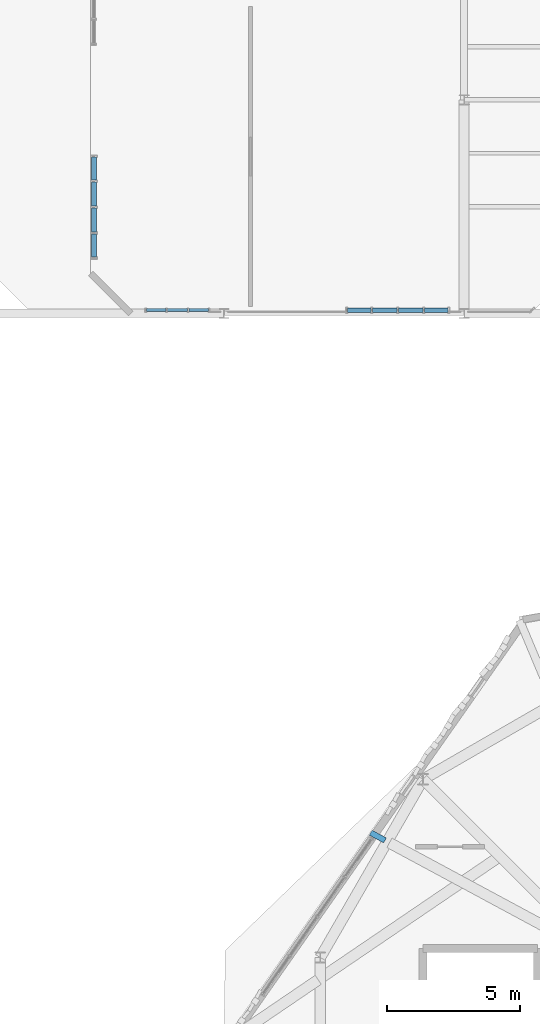
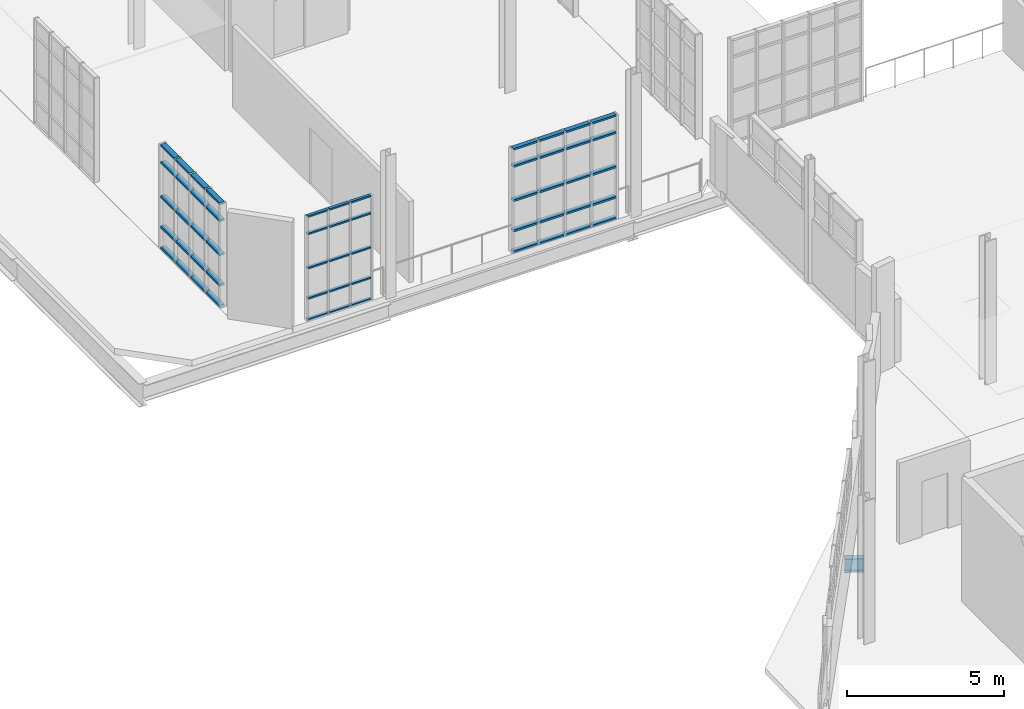
# One storey, part 23 of 36: 55 members, 1 beam, 3 elements without a shape of their own.
"""IFC4 building model written with IfcOpenShell, lengths in metres."""

from ifc_helpers import new_model, si_unit, direction, frame, origin, origin_2d, place, context, subcontext, project, spatial, hollow_rectangle, i_section, extrude, material, layer, layer_set, material_profile, profile_set, type_object, element, aggregate, save


model = new_model("IFC4")

# Units and contexts
model_context = context("Model", 3, precision=1e-05, world=origin(), true_north=direction((0.0, 1.0)))
body_context = subcontext(model_context, "Body", "Model", "MODEL_VIEW")
ifc_project = project(units=[si_unit("LENGTHUNIT", "METRE"), si_unit("AREAUNIT", "SQUARE_METRE"), si_unit("VOLUMEUNIT", "CUBIC_METRE"), si_unit("PLANEANGLEUNIT", "RADIAN"), si_unit("MASSUNIT", "GRAM", prefix="KILO"), si_unit("THERMODYNAMICTEMPERATUREUNIT", "KELVIN"), si_unit("POWERUNIT", "WATT")], contexts=[model_context])

# Site, building, storey
site_placement = place(None, origin())
site = spatial("IfcSite", under=ifc_project, at=site_placement, CompositionType="ELEMENT")
building_placement = place(site_placement, origin())
building = spatial("IfcBuilding", under=site, at=building_placement, Name="Zelmaris Science Centre", CompositionType="ELEMENT")
storey_placement = place(building_placement, frame((0.0, 0.0, 25.199951171875)))
storey = spatial("IfcBuildingStorey", under=building, at=storey_placement, Name="L05", CompositionType="ELEMENT", Elevation=25.199951171875)

# Curtain wall, members
ifc_material_1 = material(Name="Anodised architectural aluminium 6063-T6", Category="aluminium")
ifc_layer_1 = layer(ifc_material_1, 0.219970703125, Name="Anodised architectural aluminium 6063-T6")
ifc_layer_set_1 = layer_set([ifc_layer_1], Name="Anodised architectural aluminium 6063-T6")
curtain_wall_type_1 = type_object("IfcCurtainWallType", Name="Curtain Wall CW-04", PredefinedType="USERDEFINED", material=ifc_layer_set_1)
curtain_wall_1_placement = place(storey_placement, origin())
curtain_wall_1 = element("IfcCurtainWall", 1, at=curtain_wall_1_placement, inside=storey, type_object=curtain_wall_type_1, Name="L05 Unitised curtain wall 376", ObjectType="GLAZED CURTAIN WALL", PredefinedType="USERDEFINED")
ifc_material_profile_1 = material_profile(ifc_material_1, hollow_rectangle(XDim=0.06005859375, YDim=0.110107421875, WallThickness=0.0029296875, at=origin_2d()), Name="ALU-TRN-60X110")
ifc_profile_set_1 = profile_set([ifc_material_profile_1], Name="Anodised architectural aluminium 6063-T6")
member_type_1 = type_object("IfcMemberType", Name="ALU-TRN-60X110", PredefinedType="USERDEFINED", material=ifc_profile_set_1)
member_1_placement = place(storey_placement, frame((62.407958984375, 64.1201171875, 0.010986328125), z_axis=(-1.0, 0.0, 0.0), x_axis=(0.0, 0.0, 1.0)))
member_1 = element("IfcMember", 2, at=member_1_placement, type_object=member_type_1, Name="CW-04 transom 1.1", ObjectType="TRANSOM", PredefinedType="USERDEFINED", context=body_context, shape_type="SweptSolid", body=[
    extrude(hollow_rectangle(XDim=0.06005859375, YDim=0.110107421875, WallThickness=0.0029296875, at=origin_2d()), origin(), (0.0, 0.0, 1.0), 0.728515625),
])
member_2_placement = place(storey_placement, frame((62.407958984375, 64.1201171875, 0.8349609375), z_axis=(-1.0, 0.0, 0.0), x_axis=(0.0, 0.0, 1.0)))
member_2 = element("IfcMember", 3, at=member_2_placement, type_object=member_type_1, Name="CW-04 transom 1.2", ObjectType="TRANSOM", PredefinedType="USERDEFINED", context=body_context, shape_type="SweptSolid", body=[
    extrude(hollow_rectangle(XDim=0.06005859375, YDim=0.110107421875, WallThickness=0.0029296875, at=origin_2d()), origin(), (0.0, 0.0, 1.0), 0.728515625),
])
member_3_placement = place(storey_placement, frame((62.407958984375, 64.1201171875, 2.012451171875), z_axis=(-1.0, 0.0, 0.0), x_axis=(0.0, 0.0, 1.0)))
member_3 = element("IfcMember", 4, at=member_3_placement, type_object=member_type_1, Name="CW-04 transom 1.3", ObjectType="TRANSOM", PredefinedType="USERDEFINED", context=body_context, shape_type="SweptSolid", body=[
    extrude(hollow_rectangle(XDim=0.06005859375, YDim=0.110107421875, WallThickness=0.0029296875, at=origin_2d()), origin(), (0.0, 0.0, 1.0), 0.728515625),
])
member_4_placement = place(storey_placement, frame((62.407958984375, 64.1201171875, 3.340087890625), z_axis=(-1.0, 0.0, 0.0), x_axis=(0.0, 0.0, 1.0)))
member_4 = element("IfcMember", 5, at=member_4_placement, type_object=member_type_1, Name="CW-04 transom 1.4", ObjectType="TRANSOM", PredefinedType="USERDEFINED", context=body_context, shape_type="SweptSolid", body=[
    extrude(hollow_rectangle(XDim=0.06005859375, YDim=0.110107421875, WallThickness=0.0029296875, at=origin_2d()), origin(), (0.0, 0.0, 1.0), 0.728515625),
])
member_5_placement = place(storey_placement, frame((62.407958984375, 64.1201171875, 4.01416015625), z_axis=(-1.0, 0.0, 0.0), x_axis=(0.0, 0.0, 1.0)))
member_5 = element("IfcMember", 6, at=member_5_placement, type_object=member_type_1, Name="CW-04 transom 1.5", ObjectType="TRANSOM", PredefinedType="USERDEFINED", context=body_context, shape_type="SweptSolid", body=[
    extrude(hollow_rectangle(XDim=0.06005859375, YDim=0.110107421875, WallThickness=0.0029296875, at=origin_2d()), origin(), (0.0, 0.0, 1.0), 0.728515625),
])
member_6_placement = place(storey_placement, frame((61.62744140625, 64.1201171875, 0.010986328125), z_axis=(-1.0, 0.0, 0.0), x_axis=(0.0, 0.0, 1.0)))
member_6 = element("IfcMember", 7, at=member_6_placement, type_object=member_type_1, Name="CW-04 transom 2.1", ObjectType="TRANSOM", PredefinedType="USERDEFINED", context=body_context, shape_type="SweptSolid", body=[
    extrude(hollow_rectangle(XDim=0.06005859375, YDim=0.110107421875, WallThickness=0.0029296875, at=origin_2d()), origin(), (0.0, 0.0, 1.0), 0.7548828125),
])
member_7_placement = place(storey_placement, frame((61.62744140625, 64.1201171875, 0.8349609375), z_axis=(-1.0, 0.0, 0.0), x_axis=(0.0, 0.0, 1.0)))
member_7 = element("IfcMember", 8, at=member_7_placement, type_object=member_type_1, Name="CW-04 transom 2.2", ObjectType="TRANSOM", PredefinedType="USERDEFINED", context=body_context, shape_type="SweptSolid", body=[
    extrude(hollow_rectangle(XDim=0.06005859375, YDim=0.110107421875, WallThickness=0.0029296875, at=origin_2d()), origin(), (0.0, 0.0, 1.0), 0.7548828125),
])
member_8_placement = place(storey_placement, frame((61.62744140625, 64.1201171875, 2.012451171875), z_axis=(-1.0, 0.0, 0.0), x_axis=(0.0, 0.0, 1.0)))
member_8 = element("IfcMember", 9, at=member_8_placement, type_object=member_type_1, Name="CW-04 transom 2.3", ObjectType="TRANSOM", PredefinedType="USERDEFINED", context=body_context, shape_type="SweptSolid", body=[
    extrude(hollow_rectangle(XDim=0.06005859375, YDim=0.110107421875, WallThickness=0.0029296875, at=origin_2d()), origin(), (0.0, 0.0, 1.0), 0.7548828125),
])
member_9_placement = place(storey_placement, frame((61.62744140625, 64.1201171875, 3.340087890625), z_axis=(-1.0, 0.0, 0.0), x_axis=(0.0, 0.0, 1.0)))
member_9 = element("IfcMember", 10, at=member_9_placement, type_object=member_type_1, Name="CW-04 transom 2.4", ObjectType="TRANSOM", PredefinedType="USERDEFINED", context=body_context, shape_type="SweptSolid", body=[
    extrude(hollow_rectangle(XDim=0.06005859375, YDim=0.110107421875, WallThickness=0.0029296875, at=origin_2d()), origin(), (0.0, 0.0, 1.0), 0.7548828125),
])
member_10_placement = place(storey_placement, frame((61.62744140625, 64.1201171875, 4.01416015625), z_axis=(-1.0, 0.0, 0.0), x_axis=(0.0, 0.0, 1.0)))
member_10 = element("IfcMember", 11, at=member_10_placement, type_object=member_type_1, Name="CW-04 transom 2.5", ObjectType="TRANSOM", PredefinedType="USERDEFINED", context=body_context, shape_type="SweptSolid", body=[
    extrude(hollow_rectangle(XDim=0.06005859375, YDim=0.110107421875, WallThickness=0.0029296875, at=origin_2d()), origin(), (0.0, 0.0, 1.0), 0.7548828125),
])
member_11_placement = place(storey_placement, frame((60.820556640625, 64.1201171875, 0.010986328125), z_axis=(-1.0, 0.0, 0.0), x_axis=(0.0, 0.0, 1.0)))
member_11 = element("IfcMember", 12, at=member_11_placement, type_object=member_type_1, Name="CW-04 transom 3.1", ObjectType="TRANSOM", PredefinedType="USERDEFINED", context=body_context, shape_type="SweptSolid", body=[
    extrude(hollow_rectangle(XDim=0.06005859375, YDim=0.110107421875, WallThickness=0.0029296875, at=origin_2d()), origin(), (0.0, 0.0, 1.0), 0.728515625),
])
member_12_placement = place(storey_placement, frame((60.820556640625, 64.1201171875, 0.8349609375), z_axis=(-1.0, 0.0, 0.0), x_axis=(0.0, 0.0, 1.0)))
member_12 = element("IfcMember", 13, at=member_12_placement, type_object=member_type_1, Name="CW-04 transom 3.2", ObjectType="TRANSOM", PredefinedType="USERDEFINED", context=body_context, shape_type="SweptSolid", body=[
    extrude(hollow_rectangle(XDim=0.06005859375, YDim=0.110107421875, WallThickness=0.0029296875, at=origin_2d()), origin(), (0.0, 0.0, 1.0), 0.728515625),
])
member_13_placement = place(storey_placement, frame((60.820556640625, 64.1201171875, 2.012451171875), z_axis=(-1.0, 0.0, 0.0), x_axis=(0.0, 0.0, 1.0)))
member_13 = element("IfcMember", 14, at=member_13_placement, type_object=member_type_1, Name="CW-04 transom 3.3", ObjectType="TRANSOM", PredefinedType="USERDEFINED", context=body_context, shape_type="SweptSolid", body=[
    extrude(hollow_rectangle(XDim=0.06005859375, YDim=0.110107421875, WallThickness=0.0029296875, at=origin_2d()), origin(), (0.0, 0.0, 1.0), 0.728515625),
])
member_14_placement = place(storey_placement, frame((60.820556640625, 64.1201171875, 3.340087890625), z_axis=(-1.0, 0.0, 0.0), x_axis=(0.0, 0.0, 1.0)))
member_14 = element("IfcMember", 15, at=member_14_placement, type_object=member_type_1, Name="CW-04 transom 3.4", ObjectType="TRANSOM", PredefinedType="USERDEFINED", context=body_context, shape_type="SweptSolid", body=[
    extrude(hollow_rectangle(XDim=0.06005859375, YDim=0.110107421875, WallThickness=0.0029296875, at=origin_2d()), origin(), (0.0, 0.0, 1.0), 0.728515625),
])
member_15_placement = place(storey_placement, frame((60.820556640625, 64.1201171875, 4.01416015625), z_axis=(-1.0, 0.0, 0.0), x_axis=(0.0, 0.0, 1.0)))
member_15 = element("IfcMember", 16, at=member_15_placement, type_object=member_type_1, Name="CW-04 transom 3.5", ObjectType="TRANSOM", PredefinedType="USERDEFINED", context=body_context, shape_type="SweptSolid", body=[
    extrude(hollow_rectangle(XDim=0.06005859375, YDim=0.110107421875, WallThickness=0.0029296875, at=origin_2d()), origin(), (0.0, 0.0, 1.0), 0.728515625),
])
aggregate(curtain_wall_1, [member_1, member_2, member_3, member_4, member_5, member_6, member_7, member_8, member_9, member_10, member_11, member_12, member_13, member_14, member_15])

ifc_layer_2 = layer(ifc_material_1, 0.199951171875, Name="Anodised architectural aluminium 6063-T6")
ifc_layer_set_2 = layer_set([ifc_layer_2], Name="Anodised architectural aluminium 6063-T6")
curtain_wall_type_2 = type_object("IfcCurtainWallType", Name="Curtain Wall CW-02", PredefinedType="USERDEFINED", material=ifc_layer_set_2)
curtain_wall_2_placement = place(storey_placement, origin())
curtain_wall_2 = element("IfcCurtainWall", 17, at=curtain_wall_2_placement, inside=storey, type_object=curtain_wall_type_2, Name="L05 Unitised curtain wall 374", ObjectType="GLAZED CURTAIN WALL", PredefinedType="USERDEFINED")
ifc_material_profile_2 = material_profile(ifc_material_1, hollow_rectangle(XDim=0.074951171875, YDim=0.159912109375, WallThickness=0.00390625, at=origin_2d()), Name="ALU-TRN-75X160")
ifc_profile_set_2 = profile_set([ifc_material_profile_2], Name="Anodised architectural aluminium 6063-T6")
member_type_2 = type_object("IfcMemberType", Name="ALU-TRN-75X160", PredefinedType="USERDEFINED", material=ifc_profile_set_2)
member_16_placement = place(storey_placement, frame((71.39306640625, 64.1201171875, 0.0185546875), z_axis=(-1.0, 0.0, 0.0), x_axis=(0.0, 0.0, 1.0)))
member_16 = element("IfcMember", 18, at=member_16_placement, type_object=member_type_2, Name="CW-02 transom 1.1", ObjectType="TRANSOM", PredefinedType="USERDEFINED", context=body_context, shape_type="SweptSolid", body=[
    extrude(hollow_rectangle(XDim=0.074951171875, YDim=0.159912109375, WallThickness=0.00390625, at=origin_2d()), origin(), (0.0, 0.0, 1.0), 0.87451171875),
])
member_17_placement = place(storey_placement, frame((71.39306640625, 64.1201171875, 0.8349609375), z_axis=(-1.0, 0.0, 0.0), x_axis=(0.0, 0.0, 1.0)))
member_17 = element("IfcMember", 19, at=member_17_placement, type_object=member_type_2, Name="CW-02 transom 1.2", ObjectType="TRANSOM", PredefinedType="USERDEFINED", context=body_context, shape_type="SweptSolid", body=[
    extrude(hollow_rectangle(XDim=0.074951171875, YDim=0.159912109375, WallThickness=0.00390625, at=origin_2d()), origin(), (0.0, 0.0, 1.0), 0.87451171875),
])
member_18_placement = place(storey_placement, frame((71.39306640625, 64.1201171875, 2.012451171875), z_axis=(-1.0, 0.0, 0.0), x_axis=(0.0, 0.0, 1.0)))
member_18 = element("IfcMember", 20, at=member_18_placement, type_object=member_type_2, Name="CW-02 transom 1.3", ObjectType="TRANSOM", PredefinedType="USERDEFINED", context=body_context, shape_type="SweptSolid", body=[
    extrude(hollow_rectangle(XDim=0.074951171875, YDim=0.159912109375, WallThickness=0.00390625, at=origin_2d()), origin(), (0.0, 0.0, 1.0), 0.87451171875),
])
member_19_placement = place(storey_placement, frame((71.39306640625, 64.1201171875, 3.340087890625), z_axis=(-1.0, 0.0, 0.0), x_axis=(0.0, 0.0, 1.0)))
member_19 = element("IfcMember", 21, at=member_19_placement, type_object=member_type_2, Name="CW-02 transom 1.4", ObjectType="TRANSOM", PredefinedType="USERDEFINED", context=body_context, shape_type="SweptSolid", body=[
    extrude(hollow_rectangle(XDim=0.074951171875, YDim=0.159912109375, WallThickness=0.00390625, at=origin_2d()), origin(), (0.0, 0.0, 1.0), 0.87451171875),
])
member_20_placement = place(storey_placement, frame((71.39306640625, 64.1201171875, 4.006591796875), z_axis=(-1.0, 0.0, 0.0), x_axis=(0.0, 0.0, 1.0)))
member_20 = element("IfcMember", 22, at=member_20_placement, type_object=member_type_2, Name="CW-02 transom 1.5", ObjectType="TRANSOM", PredefinedType="USERDEFINED", context=body_context, shape_type="SweptSolid", body=[
    extrude(hollow_rectangle(XDim=0.074951171875, YDim=0.159912109375, WallThickness=0.00390625, at=origin_2d()), origin(), (0.0, 0.0, 1.0), 0.87451171875),
])
member_21_placement = place(storey_placement, frame((70.451416015625, 64.1201171875, 0.0185546875), z_axis=(-1.0, 0.0, 0.0), x_axis=(0.0, 0.0, 1.0)))
member_21 = element("IfcMember", 23, at=member_21_placement, type_object=member_type_2, Name="CW-02 transom 2.1", ObjectType="TRANSOM", PredefinedType="USERDEFINED", context=body_context, shape_type="SweptSolid", body=[
    extrude(hollow_rectangle(XDim=0.074951171875, YDim=0.159912109375, WallThickness=0.00390625, at=origin_2d()), origin(), (0.0, 0.0, 1.0), 0.907958984375),
])
member_22_placement = place(storey_placement, frame((70.451416015625, 64.1201171875, 0.8349609375), z_axis=(-1.0, 0.0, 0.0), x_axis=(0.0, 0.0, 1.0)))
member_22 = element("IfcMember", 24, at=member_22_placement, type_object=member_type_2, Name="CW-02 transom 2.2", ObjectType="TRANSOM", PredefinedType="USERDEFINED", context=body_context, shape_type="SweptSolid", body=[
    extrude(hollow_rectangle(XDim=0.074951171875, YDim=0.159912109375, WallThickness=0.00390625, at=origin_2d()), origin(), (0.0, 0.0, 1.0), 0.907958984375),
])
member_23_placement = place(storey_placement, frame((70.451416015625, 64.1201171875, 2.012451171875), z_axis=(-1.0, 0.0, 0.0), x_axis=(0.0, 0.0, 1.0)))
member_23 = element("IfcMember", 25, at=member_23_placement, type_object=member_type_2, Name="CW-02 transom 2.3", ObjectType="TRANSOM", PredefinedType="USERDEFINED", context=body_context, shape_type="SweptSolid", body=[
    extrude(hollow_rectangle(XDim=0.074951171875, YDim=0.159912109375, WallThickness=0.00390625, at=origin_2d()), origin(), (0.0, 0.0, 1.0), 0.907958984375),
])
member_24_placement = place(storey_placement, frame((70.451416015625, 64.1201171875, 3.340087890625), z_axis=(-1.0, 0.0, 0.0), x_axis=(0.0, 0.0, 1.0)))
member_24 = element("IfcMember", 26, at=member_24_placement, type_object=member_type_2, Name="CW-02 transom 2.4", ObjectType="TRANSOM", PredefinedType="USERDEFINED", context=body_context, shape_type="SweptSolid", body=[
    extrude(hollow_rectangle(XDim=0.074951171875, YDim=0.159912109375, WallThickness=0.00390625, at=origin_2d()), origin(), (0.0, 0.0, 1.0), 0.907958984375),
])
member_25_placement = place(storey_placement, frame((70.451416015625, 64.1201171875, 4.006591796875), z_axis=(-1.0, 0.0, 0.0), x_axis=(0.0, 0.0, 1.0)))
member_25 = element("IfcMember", 27, at=member_25_placement, type_object=member_type_2, Name="CW-02 transom 2.5", ObjectType="TRANSOM", PredefinedType="USERDEFINED", context=body_context, shape_type="SweptSolid", body=[
    extrude(hollow_rectangle(XDim=0.074951171875, YDim=0.159912109375, WallThickness=0.00390625, at=origin_2d()), origin(), (0.0, 0.0, 1.0), 0.907958984375),
])
member_26_placement = place(storey_placement, frame((69.4765625, 64.1201171875, 0.0185546875), z_axis=(-1.0, 0.0, 0.0), x_axis=(0.0, 0.0, 1.0)))
member_26 = element("IfcMember", 28, at=member_26_placement, type_object=member_type_2, Name="CW-02 transom 3.1", ObjectType="TRANSOM", PredefinedType="USERDEFINED", context=body_context, shape_type="SweptSolid", body=[
    extrude(hollow_rectangle(XDim=0.074951171875, YDim=0.159912109375, WallThickness=0.00390625, at=origin_2d()), origin(), (0.0, 0.0, 1.0), 0.907958984375),
])
member_27_placement = place(storey_placement, frame((69.4765625, 64.1201171875, 0.8349609375), z_axis=(-1.0, 0.0, 0.0), x_axis=(0.0, 0.0, 1.0)))
member_27 = element("IfcMember", 29, at=member_27_placement, type_object=member_type_2, Name="CW-02 transom 3.2", ObjectType="TRANSOM", PredefinedType="USERDEFINED", context=body_context, shape_type="SweptSolid", body=[
    extrude(hollow_rectangle(XDim=0.074951171875, YDim=0.159912109375, WallThickness=0.00390625, at=origin_2d()), origin(), (0.0, 0.0, 1.0), 0.907958984375),
])
member_28_placement = place(storey_placement, frame((69.4765625, 64.1201171875, 2.012451171875), z_axis=(-1.0, 0.0, 0.0), x_axis=(0.0, 0.0, 1.0)))
member_28 = element("IfcMember", 30, at=member_28_placement, type_object=member_type_2, Name="CW-02 transom 3.3", ObjectType="TRANSOM", PredefinedType="USERDEFINED", context=body_context, shape_type="SweptSolid", body=[
    extrude(hollow_rectangle(XDim=0.074951171875, YDim=0.159912109375, WallThickness=0.00390625, at=origin_2d()), origin(), (0.0, 0.0, 1.0), 0.907958984375),
])
member_29_placement = place(storey_placement, frame((69.4765625, 64.1201171875, 3.340087890625), z_axis=(-1.0, 0.0, 0.0), x_axis=(0.0, 0.0, 1.0)))
member_29 = element("IfcMember", 31, at=member_29_placement, type_object=member_type_2, Name="CW-02 transom 3.4", ObjectType="TRANSOM", PredefinedType="USERDEFINED", context=body_context, shape_type="SweptSolid", body=[
    extrude(hollow_rectangle(XDim=0.074951171875, YDim=0.159912109375, WallThickness=0.00390625, at=origin_2d()), origin(), (0.0, 0.0, 1.0), 0.907958984375),
])
member_30_placement = place(storey_placement, frame((69.4765625, 64.1201171875, 4.006591796875), z_axis=(-1.0, 0.0, 0.0), x_axis=(0.0, 0.0, 1.0)))
member_30 = element("IfcMember", 32, at=member_30_placement, type_object=member_type_2, Name="CW-02 transom 3.5", ObjectType="TRANSOM", PredefinedType="USERDEFINED", context=body_context, shape_type="SweptSolid", body=[
    extrude(hollow_rectangle(XDim=0.074951171875, YDim=0.159912109375, WallThickness=0.00390625, at=origin_2d()), origin(), (0.0, 0.0, 1.0), 0.907958984375),
])
member_31_placement = place(storey_placement, frame((68.50146484375, 64.1201171875, 0.0185546875), z_axis=(-1.0, 0.0, 0.0), x_axis=(0.0, 0.0, 1.0)))
member_31 = element("IfcMember", 33, at=member_31_placement, type_object=member_type_2, Name="CW-02 transom 4.1", ObjectType="TRANSOM", PredefinedType="USERDEFINED", context=body_context, shape_type="SweptSolid", body=[
    extrude(hollow_rectangle(XDim=0.074951171875, YDim=0.159912109375, WallThickness=0.00390625, at=origin_2d()), origin(), (0.0, 0.0, 1.0), 0.87451171875),
])
member_32_placement = place(storey_placement, frame((68.50146484375, 64.1201171875, 0.8349609375), z_axis=(-1.0, 0.0, 0.0), x_axis=(0.0, 0.0, 1.0)))
member_32 = element("IfcMember", 34, at=member_32_placement, type_object=member_type_2, Name="CW-02 transom 4.2", ObjectType="TRANSOM", PredefinedType="USERDEFINED", context=body_context, shape_type="SweptSolid", body=[
    extrude(hollow_rectangle(XDim=0.074951171875, YDim=0.159912109375, WallThickness=0.00390625, at=origin_2d()), origin(), (0.0, 0.0, 1.0), 0.87451171875),
])
member_33_placement = place(storey_placement, frame((68.50146484375, 64.1201171875, 2.012451171875), z_axis=(-1.0, 0.0, 0.0), x_axis=(0.0, 0.0, 1.0)))
member_33 = element("IfcMember", 35, at=member_33_placement, type_object=member_type_2, Name="CW-02 transom 4.3", ObjectType="TRANSOM", PredefinedType="USERDEFINED", context=body_context, shape_type="SweptSolid", body=[
    extrude(hollow_rectangle(XDim=0.074951171875, YDim=0.159912109375, WallThickness=0.00390625, at=origin_2d()), origin(), (0.0, 0.0, 1.0), 0.87451171875),
])
member_34_placement = place(storey_placement, frame((68.50146484375, 64.1201171875, 3.340087890625), z_axis=(-1.0, 0.0, 0.0), x_axis=(0.0, 0.0, 1.0)))
member_34 = element("IfcMember", 36, at=member_34_placement, type_object=member_type_2, Name="CW-02 transom 4.4", ObjectType="TRANSOM", PredefinedType="USERDEFINED", context=body_context, shape_type="SweptSolid", body=[
    extrude(hollow_rectangle(XDim=0.074951171875, YDim=0.159912109375, WallThickness=0.00390625, at=origin_2d()), origin(), (0.0, 0.0, 1.0), 0.87451171875),
])
member_35_placement = place(storey_placement, frame((68.50146484375, 64.1201171875, 4.006591796875), z_axis=(-1.0, 0.0, 0.0), x_axis=(0.0, 0.0, 1.0)))
member_35 = element("IfcMember", 37, at=member_35_placement, type_object=member_type_2, Name="CW-02 transom 4.5", ObjectType="TRANSOM", PredefinedType="USERDEFINED", context=body_context, shape_type="SweptSolid", body=[
    extrude(hollow_rectangle(XDim=0.074951171875, YDim=0.159912109375, WallThickness=0.00390625, at=origin_2d()), origin(), (0.0, 0.0, 1.0), 0.87451171875),
])
aggregate(curtain_wall_2, [member_16, member_17, member_18, member_19, member_20, member_21, member_22, member_23, member_24, member_25, member_26, member_27, member_28, member_29, member_30, member_31, member_32, member_33, member_34, member_35])

ifc_layer_3 = layer(ifc_material_1, 0.18994140625, Name="Anodised architectural aluminium 6063-T6")
ifc_layer_set_3 = layer_set([ifc_layer_3], Name="Anodised architectural aluminium 6063-T6")
curtain_wall_type_3 = type_object("IfcCurtainWallType", Name="Curtain Wall CW-01", PredefinedType="USERDEFINED", material=ifc_layer_set_3)
curtain_wall_3_placement = place(storey_placement, origin())
curtain_wall_3 = element("IfcCurtainWall", 38, at=curtain_wall_3_placement, inside=storey, type_object=curtain_wall_type_3, Name="L05 Unitised curtain wall 377", ObjectType="GLAZED CURTAIN WALL", PredefinedType="USERDEFINED")
ifc_material_profile_3 = material_profile(ifc_material_1, hollow_rectangle(XDim=0.080078125, YDim=0.18994140625, WallThickness=0.00439453125, at=origin_2d()), Name="ALU-TRN-80X190")
ifc_profile_set_3 = profile_set([ifc_material_profile_3], Name="Anodised architectural aluminium 6063-T6")
member_type_3 = type_object("IfcMemberType", Name="ALU-TRN-80X190", PredefinedType="USERDEFINED", material=ifc_profile_set_3)
member_36_placement = place(storey_placement, frame((58.1201171875, 66.112060546875, 0.02099609375), z_axis=(0.0, 1.0, 0.0), x_axis=(0.0, 0.0, 1.0)))
member_36 = element("IfcMember", 39, at=member_36_placement, type_object=member_type_3, Name="CW-01 transom 1.1", ObjectType="TRANSOM", PredefinedType="USERDEFINED", context=body_context, shape_type="SweptSolid", body=[
    extrude(hollow_rectangle(XDim=0.080078125, YDim=0.18994140625, WallThickness=0.00439453125, at=origin_2d()), origin(), (0.0, 0.0, 1.0), 0.86376953125),
])
member_37_placement = place(storey_placement, frame((58.1201171875, 66.112060546875, 0.8349609375), z_axis=(0.0, 1.0, 0.0), x_axis=(0.0, 0.0, 1.0)))
member_37 = element("IfcMember", 40, at=member_37_placement, type_object=member_type_3, Name="CW-01 transom 1.2", ObjectType="TRANSOM", PredefinedType="USERDEFINED", context=body_context, shape_type="SweptSolid", body=[
    extrude(hollow_rectangle(XDim=0.080078125, YDim=0.18994140625, WallThickness=0.00439453125, at=origin_2d()), origin(), (0.0, 0.0, 1.0), 0.86376953125),
])
member_38_placement = place(storey_placement, frame((58.1201171875, 66.112060546875, 2.012451171875), z_axis=(0.0, 1.0, 0.0), x_axis=(0.0, 0.0, 1.0)))
member_38 = element("IfcMember", 41, at=member_38_placement, type_object=member_type_3, Name="CW-01 transom 1.3", ObjectType="TRANSOM", PredefinedType="USERDEFINED", context=body_context, shape_type="SweptSolid", body=[
    extrude(hollow_rectangle(XDim=0.080078125, YDim=0.18994140625, WallThickness=0.00439453125, at=origin_2d()), origin(), (0.0, 0.0, 1.0), 0.86376953125),
])
member_39_placement = place(storey_placement, frame((58.1201171875, 66.112060546875, 3.340087890625), z_axis=(0.0, 1.0, 0.0), x_axis=(0.0, 0.0, 1.0)))
member_39 = element("IfcMember", 42, at=member_39_placement, type_object=member_type_3, Name="CW-01 transom 1.4", ObjectType="TRANSOM", PredefinedType="USERDEFINED", context=body_context, shape_type="SweptSolid", body=[
    extrude(hollow_rectangle(XDim=0.080078125, YDim=0.18994140625, WallThickness=0.00439453125, at=origin_2d()), origin(), (0.0, 0.0, 1.0), 0.86376953125),
])
member_40_placement = place(storey_placement, frame((58.1201171875, 66.112060546875, 4.004150390625), z_axis=(0.0, 1.0, 0.0), x_axis=(0.0, 0.0, 1.0)))
member_40 = element("IfcMember", 43, at=member_40_placement, type_object=member_type_3, Name="CW-01 transom 1.5", ObjectType="TRANSOM", PredefinedType="USERDEFINED", context=body_context, shape_type="SweptSolid", body=[
    extrude(hollow_rectangle(XDim=0.080078125, YDim=0.18994140625, WallThickness=0.00439453125, at=origin_2d()), origin(), (0.0, 0.0, 1.0), 0.86376953125),
])
member_41_placement = place(storey_placement, frame((58.1201171875, 67.0478515625, 0.02099609375), z_axis=(0.0, 1.0, 0.0), x_axis=(0.0, 0.0, 1.0)))
member_41 = element("IfcMember", 44, at=member_41_placement, type_object=member_type_3, Name="CW-01 transom 2.1", ObjectType="TRANSOM", PredefinedType="USERDEFINED", context=body_context, shape_type="SweptSolid", body=[
    extrude(hollow_rectangle(XDim=0.080078125, YDim=0.18994140625, WallThickness=0.00439453125, at=origin_2d()), origin(), (0.0, 0.0, 1.0), 0.89990234375),
])
member_42_placement = place(storey_placement, frame((58.1201171875, 67.0478515625, 0.8349609375), z_axis=(0.0, 1.0, 0.0), x_axis=(0.0, 0.0, 1.0)))
member_42 = element("IfcMember", 45, at=member_42_placement, type_object=member_type_3, Name="CW-01 transom 2.2", ObjectType="TRANSOM", PredefinedType="USERDEFINED", context=body_context, shape_type="SweptSolid", body=[
    extrude(hollow_rectangle(XDim=0.080078125, YDim=0.18994140625, WallThickness=0.00439453125, at=origin_2d()), origin(), (0.0, 0.0, 1.0), 0.89990234375),
])
member_43_placement = place(storey_placement, frame((58.1201171875, 67.0478515625, 2.012451171875), z_axis=(0.0, 1.0, 0.0), x_axis=(0.0, 0.0, 1.0)))
member_43 = element("IfcMember", 46, at=member_43_placement, type_object=member_type_3, Name="CW-01 transom 2.3", ObjectType="TRANSOM", PredefinedType="USERDEFINED", context=body_context, shape_type="SweptSolid", body=[
    extrude(hollow_rectangle(XDim=0.080078125, YDim=0.18994140625, WallThickness=0.00439453125, at=origin_2d()), origin(), (0.0, 0.0, 1.0), 0.89990234375),
])
member_44_placement = place(storey_placement, frame((58.1201171875, 67.0478515625, 3.340087890625), z_axis=(0.0, 1.0, 0.0), x_axis=(0.0, 0.0, 1.0)))
member_44 = element("IfcMember", 47, at=member_44_placement, type_object=member_type_3, Name="CW-01 transom 2.4", ObjectType="TRANSOM", PredefinedType="USERDEFINED", context=body_context, shape_type="SweptSolid", body=[
    extrude(hollow_rectangle(XDim=0.080078125, YDim=0.18994140625, WallThickness=0.00439453125, at=origin_2d()), origin(), (0.0, 0.0, 1.0), 0.89990234375),
])
member_45_placement = place(storey_placement, frame((58.1201171875, 67.0478515625, 4.004150390625), z_axis=(0.0, 1.0, 0.0), x_axis=(0.0, 0.0, 1.0)))
member_45 = element("IfcMember", 48, at=member_45_placement, type_object=member_type_3, Name="CW-01 transom 2.5", ObjectType="TRANSOM", PredefinedType="USERDEFINED", context=body_context, shape_type="SweptSolid", body=[
    extrude(hollow_rectangle(XDim=0.080078125, YDim=0.18994140625, WallThickness=0.00439453125, at=origin_2d()), origin(), (0.0, 0.0, 1.0), 0.89990234375),
])
member_46_placement = place(storey_placement, frame((58.1201171875, 68.019775390625, 0.02099609375), z_axis=(0.0, 1.0, 0.0), x_axis=(0.0, 0.0, 1.0)))
member_46 = element("IfcMember", 49, at=member_46_placement, type_object=member_type_3, Name="CW-01 transom 3.1", ObjectType="TRANSOM", PredefinedType="USERDEFINED", context=body_context, shape_type="SweptSolid", body=[
    extrude(hollow_rectangle(XDim=0.080078125, YDim=0.18994140625, WallThickness=0.00439453125, at=origin_2d()), origin(), (0.0, 0.0, 1.0), 0.89990234375),
])
member_47_placement = place(storey_placement, frame((58.1201171875, 68.019775390625, 0.8349609375), z_axis=(0.0, 1.0, 0.0), x_axis=(0.0, 0.0, 1.0)))
member_47 = element("IfcMember", 50, at=member_47_placement, type_object=member_type_3, Name="CW-01 transom 3.2", ObjectType="TRANSOM", PredefinedType="USERDEFINED", context=body_context, shape_type="SweptSolid", body=[
    extrude(hollow_rectangle(XDim=0.080078125, YDim=0.18994140625, WallThickness=0.00439453125, at=origin_2d()), origin(), (0.0, 0.0, 1.0), 0.89990234375),
])
member_48_placement = place(storey_placement, frame((58.1201171875, 68.019775390625, 2.012451171875), z_axis=(0.0, 1.0, 0.0), x_axis=(0.0, 0.0, 1.0)))
member_48 = element("IfcMember", 51, at=member_48_placement, type_object=member_type_3, Name="CW-01 transom 3.3", ObjectType="TRANSOM", PredefinedType="USERDEFINED", context=body_context, shape_type="SweptSolid", body=[
    extrude(hollow_rectangle(XDim=0.080078125, YDim=0.18994140625, WallThickness=0.00439453125, at=origin_2d()), origin(), (0.0, 0.0, 1.0), 0.89990234375),
])
member_49_placement = place(storey_placement, frame((58.1201171875, 68.019775390625, 3.340087890625), z_axis=(0.0, 1.0, 0.0), x_axis=(0.0, 0.0, 1.0)))
member_49 = element("IfcMember", 52, at=member_49_placement, type_object=member_type_3, Name="CW-01 transom 3.4", ObjectType="TRANSOM", PredefinedType="USERDEFINED", context=body_context, shape_type="SweptSolid", body=[
    extrude(hollow_rectangle(XDim=0.080078125, YDim=0.18994140625, WallThickness=0.00439453125, at=origin_2d()), origin(), (0.0, 0.0, 1.0), 0.89990234375),
])
member_50_placement = place(storey_placement, frame((58.1201171875, 68.019775390625, 4.004150390625), z_axis=(0.0, 1.0, 0.0), x_axis=(0.0, 0.0, 1.0)))
member_50 = element("IfcMember", 53, at=member_50_placement, type_object=member_type_3, Name="CW-01 transom 3.5", ObjectType="TRANSOM", PredefinedType="USERDEFINED", context=body_context, shape_type="SweptSolid", body=[
    extrude(hollow_rectangle(XDim=0.080078125, YDim=0.18994140625, WallThickness=0.00439453125, at=origin_2d()), origin(), (0.0, 0.0, 1.0), 0.89990234375),
])
member_51_placement = place(storey_placement, frame((58.1201171875, 68.99169921875, 0.02099609375), z_axis=(0.0, 1.0, 0.0), x_axis=(0.0, 0.0, 1.0)))
member_51 = element("IfcMember", 54, at=member_51_placement, type_object=member_type_3, Name="CW-01 transom 4.1", ObjectType="TRANSOM", PredefinedType="USERDEFINED", context=body_context, shape_type="SweptSolid", body=[
    extrude(hollow_rectangle(XDim=0.080078125, YDim=0.18994140625, WallThickness=0.00439453125, at=origin_2d()), origin(), (0.0, 0.0, 1.0), 0.864013671875),
])
member_52_placement = place(storey_placement, frame((58.1201171875, 68.99169921875, 0.8349609375), z_axis=(0.0, 1.0, 0.0), x_axis=(0.0, 0.0, 1.0)))
member_52 = element("IfcMember", 55, at=member_52_placement, type_object=member_type_3, Name="CW-01 transom 4.2", ObjectType="TRANSOM", PredefinedType="USERDEFINED", context=body_context, shape_type="SweptSolid", body=[
    extrude(hollow_rectangle(XDim=0.080078125, YDim=0.18994140625, WallThickness=0.00439453125, at=origin_2d()), origin(), (0.0, 0.0, 1.0), 0.864013671875),
])
member_53_placement = place(storey_placement, frame((58.1201171875, 68.99169921875, 2.012451171875), z_axis=(0.0, 1.0, 0.0), x_axis=(0.0, 0.0, 1.0)))
member_53 = element("IfcMember", 56, at=member_53_placement, type_object=member_type_3, Name="CW-01 transom 4.3", ObjectType="TRANSOM", PredefinedType="USERDEFINED", context=body_context, shape_type="SweptSolid", body=[
    extrude(hollow_rectangle(XDim=0.080078125, YDim=0.18994140625, WallThickness=0.00439453125, at=origin_2d()), origin(), (0.0, 0.0, 1.0), 0.864013671875),
])
member_54_placement = place(storey_placement, frame((58.1201171875, 68.99169921875, 3.340087890625), z_axis=(0.0, 1.0, 0.0), x_axis=(0.0, 0.0, 1.0)))
member_54 = element("IfcMember", 57, at=member_54_placement, type_object=member_type_3, Name="CW-01 transom 4.4", ObjectType="TRANSOM", PredefinedType="USERDEFINED", context=body_context, shape_type="SweptSolid", body=[
    extrude(hollow_rectangle(XDim=0.080078125, YDim=0.18994140625, WallThickness=0.00439453125, at=origin_2d()), origin(), (0.0, 0.0, 1.0), 0.864013671875),
])
member_55_placement = place(storey_placement, frame((58.1201171875, 68.99169921875, 4.004150390625), z_axis=(0.0, 1.0, 0.0), x_axis=(0.0, 0.0, 1.0)))
member_55 = element("IfcMember", 58, at=member_55_placement, type_object=member_type_3, Name="CW-01 transom 4.5", ObjectType="TRANSOM", PredefinedType="USERDEFINED", context=body_context, shape_type="SweptSolid", body=[
    extrude(hollow_rectangle(XDim=0.080078125, YDim=0.18994140625, WallThickness=0.00439453125, at=origin_2d()), origin(), (0.0, 0.0, 1.0), 0.864013671875),
])
aggregate(curtain_wall_3, [member_36, member_37, member_38, member_39, member_40, member_41, member_42, member_43, member_44, member_45, member_46, member_47, member_48, member_49, member_50, member_51, member_52, member_53, member_54, member_55])

# Beam
ifc_material_2 = material(Name="Steel ASTM A992 Grade 50", Category="steel")
ifc_material_profile_4 = material_profile(ifc_material_2, i_section(OverallWidth=0.2109375, OverallDepth=0.5380859375, WebThickness=0.01171875, FlangeThickness=0.018798828125, FilletRadius=0.013916015625, at=origin_2d()), Name="W21X73")
ifc_profile_set_4 = profile_set([ifc_material_profile_4], Name="Steel ASTM A992 Grade 50")
beam_type = type_object("IfcBeamType", Name="Beam G-19 W21X73", PredefinedType="BEAM", material=ifc_profile_set_4)
beam_placement = place(storey_placement, frame((69.0322265625, 44.245849609375, -0.549072265625), z_axis=(-0.88040645998, 0.474219849043, 0.0), x_axis=(-0.474219849043, -0.88040645998, 0.0)))
element("IfcBeam", 59, at=beam_placement, inside=storey, type_object=beam_type, Name="L05 Radial overhang girder 8", PredefinedType="BEAM", context=body_context, shape_type="SweptSolid", body=[
    extrude(i_section(OverallWidth=0.2109375, OverallDepth=0.5380859375, WebThickness=0.01171875, FlangeThickness=0.018798828125, FilletRadius=0.013916015625, at=origin_2d()), origin(), (0.0, 0.0, 1.0), 0.6064453125),
])

save(model, "model.ifc")
